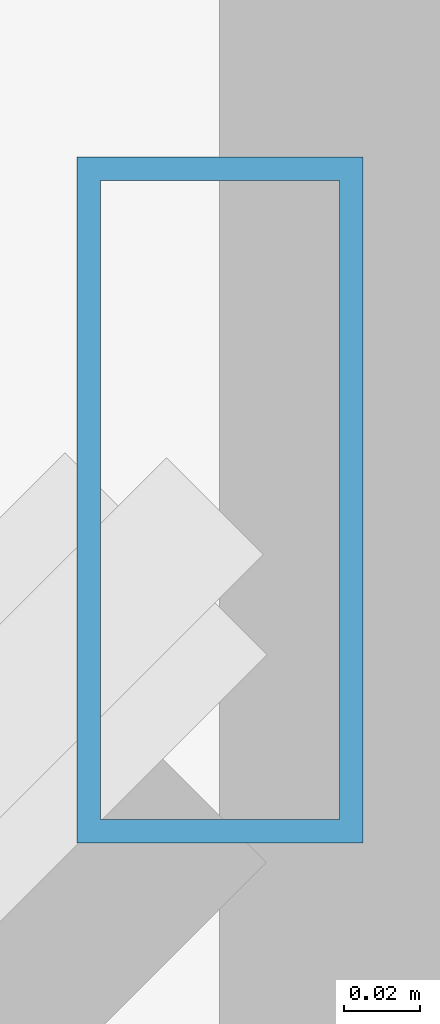
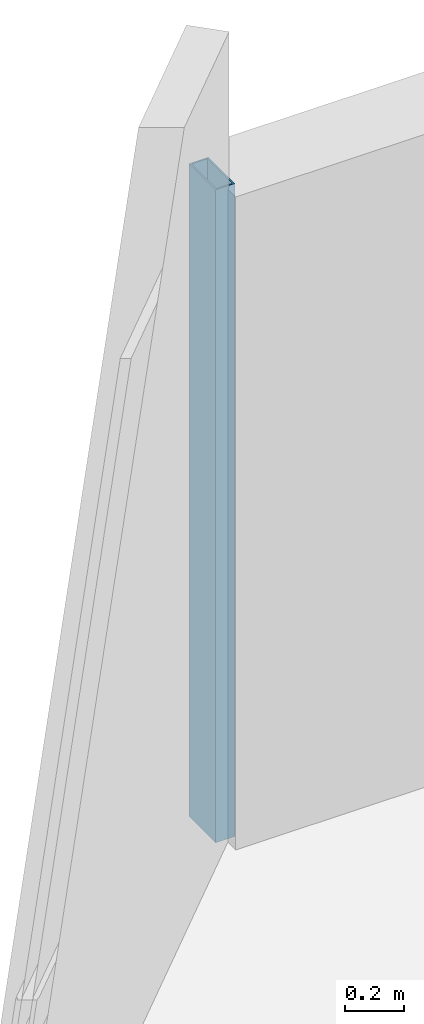
# One storey, part 9 of 33: 1 member, 1 element without a shape of its own.
"""IFC4 building model written with IfcOpenShell, lengths in metres."""

from ifc_helpers import new_model, si_unit, direction, frame, origin, origin_2d, place, context, subcontext, project, spatial, hollow_rectangle, extrude, material, material_profile, profile_set, type_object, element, aggregate, save


model = new_model("IFC4")

# Units and contexts
model_context = context("Model", 3, precision=1e-05, world=origin(), true_north=direction((0.0, 1.0)))
body_context = subcontext(model_context, "Body", "Model", "MODEL_VIEW")
ifc_project = project(units=[si_unit("LENGTHUNIT", "METRE"), si_unit("AREAUNIT", "SQUARE_METRE"), si_unit("VOLUMEUNIT", "CUBIC_METRE"), si_unit("PLANEANGLEUNIT", "RADIAN"), si_unit("MASSUNIT", "GRAM", prefix="KILO")], contexts=[model_context])

# Site, building, storey
site_placement = place(None, origin())
site = spatial("IfcSite", under=ifc_project, at=site_placement, CompositionType="ELEMENT")
building_placement = place(site_placement, origin())
building = spatial("IfcBuilding", under=site, at=building_placement, Name="Thornwick Lancets Civic Towers", CompositionType="ELEMENT")
storey_placement = place(building_placement, frame((0.0, 0.0, 210.89990234375)))
storey = spatial("IfcBuildingStorey", under=building, at=storey_placement, Name="L56", CompositionType="ELEMENT", Elevation=210.89990234375)

# Curtain wall, member
ifc_material_1 = material(Name="High-zone chamfered-corner unitised glass curtain wall", Category="glass")
curtain_wall_type = type_object("IfcCurtainWallType", Name="CW_SYS_05", PredefinedType="NOTDEFINED", material=ifc_material_1)
curtain_wall_placement = place(storey_placement, origin())
curtain_wall = element("IfcCurtainWall", 1, at=curtain_wall_placement, inside=storey, type_object=curtain_wall_type, Name="L56 Curtain Wall CW-L56-A-E5", PredefinedType="NOTDEFINED")
ifc_material_2 = material(Name="Thermally broken bronze aluminium S355", Category="steel")
ifc_material_profile = material_profile(ifc_material_2, hollow_rectangle(XDim=0.074951171875, YDim=0.179931640625, WallThickness=0.006103515625, at=origin_2d()), Name="RHS 180x75x6")
ifc_profile_set = profile_set([ifc_material_profile], Name="Thermally broken bronze aluminium S355")
member_type = type_object("IfcMemberType", Name="CW_MUL_180", PredefinedType="MULLION", material=ifc_profile_set)
member_placement = place(storey_placement, frame((5.146484375, 50.761962890625, 0.0), z_axis=(0.0, 0.0, 1.0), x_axis=(1.0, 0.0, 0.0)))
member = element("IfcMember", 2, at=member_placement, type_object=member_type, Name="CW-L56-A-E5 Mullion 0", PredefinedType="MULLION", context=body_context, shape_type="SweptSolid", body=[
    extrude(hollow_rectangle(XDim=0.074951171875, YDim=0.179931640625, WallThickness=0.006103515625, at=origin_2d()), origin(), (0.0, 0.0, 1.0), 2.7001953125),
])
aggregate(curtain_wall, [member])

save(model, "model.ifc")
